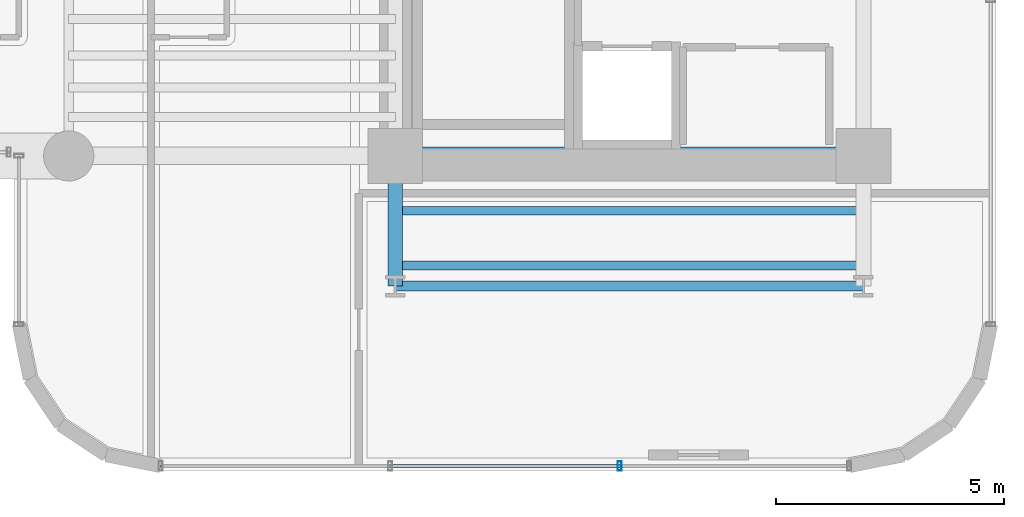
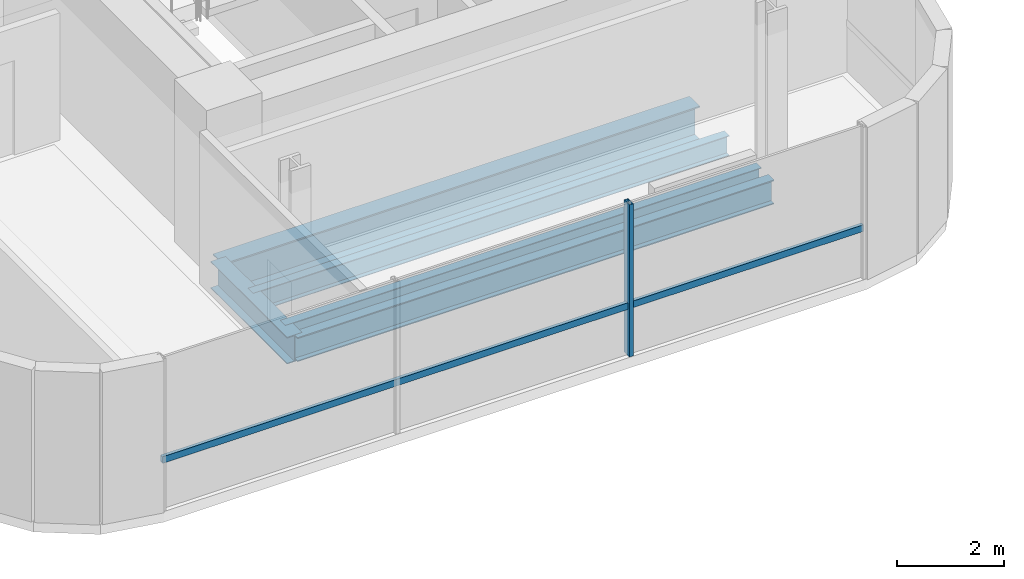
# One storey, part 3 of 37: 5 beams, 2 members, 1 element without a shape of its own.
"""IFC4 building model written with IfcOpenShell, lengths in metres."""

from ifc_helpers import new_model, si_unit, direction, frame, origin, origin_2d, place, context, subcontext, project, spatial, hollow_rectangle, i_section, extrude, source, transform, mapped, material, material_profile, profile_set, type_object, element, aggregate, save


model = new_model("IFC4")

# Units and contexts
model_context = context("Model", 3, precision=1e-05, world=origin(), true_north=direction((0.0, 1.0)))
body_context = subcontext(model_context, "Body", "Model", "MODEL_VIEW")
ifc_project = project(units=[si_unit("LENGTHUNIT", "METRE"), si_unit("AREAUNIT", "SQUARE_METRE"), si_unit("VOLUMEUNIT", "CUBIC_METRE"), si_unit("PLANEANGLEUNIT", "RADIAN"), si_unit("MASSUNIT", "GRAM", prefix="KILO")], contexts=[model_context])

# Site, building, storey
site_placement = place(None, origin())
site = spatial("IfcSite", under=ifc_project, at=site_placement, CompositionType="ELEMENT")
building_placement = place(site_placement, origin())
building = spatial("IfcBuilding", under=site, at=building_placement, Name="Valdorenza Pilgrim Sanctuary Tower", CompositionType="ELEMENT")
storey_placement = place(building_placement, frame((0.0, 0.0, 135.300048828125)))
storey = spatial("IfcBuildingStorey", under=building, at=storey_placement, Name="L34", CompositionType="ELEMENT", Elevation=135.300048828125)

# Beams
ifc_material_1 = material(Name="Steel ASTM A992 Grade 50", Category="steel")
ifc_material_profile_1 = material_profile(ifc_material_1, i_section(OverallWidth=0.214111328125, OverallDepth=0.549072265625, WebThickness=0.0146484375, FlangeThickness=0.023681640625, at=origin_2d()), Name="W21X93")
ifc_profile_set_1 = profile_set([ifc_material_profile_1], Name="Steel ASTM A992 Grade 50")
beam_type_1 = type_object("IfcBeamType", Name="STR-BM-SPN-W21A", PredefinedType="SPANDREL", material=ifc_profile_set_1)
shared_shape_1 = source(origin(), body_context, "Body", "SweptSolid", [
    extrude(i_section(OverallWidth=0.214111328125, OverallDepth=0.549072265625, WebThickness=0.0146484375, FlangeThickness=0.023681640625, at=origin_2d()), origin(), (0.0, 0.0, 1.0), 10.25),
])
beam_1_placement = place(storey_placement, frame((-22.64990234375, -13.449951171875, -0.5146484375), z_axis=(1.0, 0.0, 0.0), x_axis=(0.0, 1.0, 0.0)))
element("IfcBeam", 1, at=beam_1_placement, inside=storey, type_object=beam_type_1, Name="L34 South Spandrel WA-S-TIE", PredefinedType="SPANDREL", context=body_context, shape_type="MappedRepresentation", body=[
    mapped(shared_shape_1, transform((0.0, 0.0, 0.0), x_axis=(1.0, 0.0, 0.0), y_axis=(0.0, 1.0, 0.0), z_axis=(0.0, 0.0, 1.0), scale=1.0)),
])
ifc_material_profile_2 = material_profile(ifc_material_1, i_section(OverallWidth=0.323974609375, OverallDepth=0.611083984375, WebThickness=0.0126953125, FlangeThickness=0.01904296875, at=origin_2d()), Name="W24X104")
ifc_profile_set_2 = profile_set([ifc_material_profile_2], Name="Steel ASTM A992 Grade 50")
beam_type_2 = type_object("IfcBeamType", Name="STR-BM-GRD-W24B", PredefinedType="BEAM", material=ifc_profile_set_2)
shared_shape_2 = source(origin(), body_context, "Body", "SweptSolid", [
    extrude(i_section(OverallWidth=0.323974609375, OverallDepth=0.611083984375, WebThickness=0.0126953125, FlangeThickness=0.01904296875, at=origin_2d()), origin(), (0.0, 0.0, 1.0), 2.849853515625),
])
beam_2_placement = place(storey_placement, frame((-22.64990234375, -13.449951171875, -0.545654296875), z_axis=(0.0, 1.0, 0.0), x_axis=(-1.0, 0.0, 0.0)))
element("IfcBeam", 2, at=beam_2_placement, inside=storey, type_object=beam_type_2, Name="L34 Floor Girder WA-S-LW", PredefinedType="BEAM", context=body_context, shape_type="MappedRepresentation", body=[
    mapped(shared_shape_2, transform((0.0, 0.0, 0.0), x_axis=(1.0, 0.0, 0.0), y_axis=(0.0, 1.0, 0.0), z_axis=(0.0, 0.0, 1.0), scale=1.0)),
])
ifc_material_profile_3 = material_profile(ifc_material_1, i_section(OverallWidth=0.382080078125, OverallDepth=0.779052734375, WebThickness=0.01806640625, FlangeThickness=0.030029296875, at=origin_2d()), Name="W30X191")
ifc_profile_set_3 = profile_set([ifc_material_profile_3], Name="Steel ASTM A992 Grade 50")
beam_type_3 = type_object("IfcBeamType", Name="STR-BM-GRD-W30", PredefinedType="BEAM", material=ifc_profile_set_3)
shared_shape_3 = source(origin(), body_context, "Body", "SweptSolid", [
    extrude(i_section(OverallWidth=0.382080078125, OverallDepth=0.779052734375, WebThickness=0.01806640625, FlangeThickness=0.030029296875, at=origin_2d()), origin(), (0.0, 0.0, 1.0), 10.25),
])
beam_3_placement = place(storey_placement, frame((-22.64990234375, -10.60009765625, -0.629638671875), z_axis=(1.0, 0.0, 0.0), x_axis=(0.0, 1.0, 0.0)))
element("IfcBeam", 3, at=beam_3_placement, inside=storey, type_object=beam_type_3, Name="L34 Floor Girder CA-XC-S1", PredefinedType="BEAM", context=body_context, shape_type="MappedRepresentation", body=[
    mapped(shared_shape_3, transform((0.0, 0.0, 0.0), x_axis=(1.0, 0.0, 0.0), y_axis=(0.0, 1.0, 0.0), z_axis=(0.0, 0.0, 1.0), scale=1.0)),
])
ifc_material_profile_4 = material_profile(ifc_material_1, i_section(OverallWidth=0.19091796875, OverallDepth=0.45703125, WebThickness=0.009033203125, FlangeThickness=0.014404296875, at=origin_2d()), Name="W18X50")
ifc_profile_set_4 = profile_set([ifc_material_profile_4], Name="Steel ASTM A992 Grade 50")
beam_type_4 = type_object("IfcBeamType", Name="STR-BM-JST-W18B", PredefinedType="JOIST", material=ifc_profile_set_4)
shared_shape_4 = source(origin(), body_context, "Body", "SweptSolid", [
    extrude(i_section(OverallWidth=0.19091796875, OverallDepth=0.45703125, WebThickness=0.009033203125, FlangeThickness=0.014404296875, at=origin_2d()), origin(), (0.0, 0.0, 1.0), 10.25),
])
for number, where, z_axis, x_axis, name in (
    (4, (-22.64990234375, -13.0, -0.468505859375), (1.0, 0.0, 0.0), (0.0, 1.0, 0.0), "L34 Composite Floor Joist JST-WAS-1"),
    (5, (-22.64990234375, -11.800048828125, -0.468505859375), (1.0, 0.0, 0.0), (0.0, 1.0, 0.0), "L34 Composite Floor Joist JST-WAS-2"),
):
    element("IfcBeam", number, at=place(storey_placement, frame(where, z_axis=z_axis, x_axis=x_axis)), inside=storey, type_object=beam_type_4, Name=name, PredefinedType="JOIST", context=body_context, shape_type="MappedRepresentation", body=[
        mapped(shared_shape_4, transform((0.0, 0.0, 0.0), x_axis=(1.0, 0.0, 0.0), y_axis=(0.0, 1.0, 0.0), z_axis=(0.0, 0.0, 1.0), scale=1.0)),
    ])

# Curtain wall, members
ifc_material_2 = material(Name="Curtain-wall IGU glazing", Category="glass")
curtain_wall_type = type_object("IfcCurtainWallType", Name="CW-SYS-02", PredefinedType="NOTDEFINED", material=ifc_material_2)
curtain_wall_placement = place(storey_placement, origin())
curtain_wall = element("IfcCurtainWall", 6, at=curtain_wall_placement, inside=storey, type_object=curtain_wall_type, Name="L34 Curtain Wall CW-L34-1-46", PredefinedType="NOTDEFINED")
ifc_material_3 = material(Name="Anodised aluminium AW-6060", Category="aluminium")
ifc_material_profile_5 = material_profile(ifc_material_3, hollow_rectangle(XDim=0.0849609375, YDim=0.199951171875, WallThickness=0.0048828125, at=origin_2d()), Name="ALU-M 200x85x5")
ifc_profile_set_5 = profile_set([ifc_material_profile_5], Name="Anodised aluminium AW-6060")
member_type_1 = type_object("IfcMemberType", Name="CW-MUL-02", PredefinedType="MULLION", material=ifc_profile_set_5)
shared_shape_5 = source(origin(), body_context, "Body", "SweptSolid", [
    extrude(hollow_rectangle(XDim=0.0849609375, YDim=0.199951171875, WallThickness=0.0048828125, at=origin_2d()), origin(), (0.0, 0.0, 1.0), 3.4599609375),
])
member_1_placement = place(storey_placement, frame((-17.73681640625, -17.389892578125, 0.0), z_axis=(0.0, 0.0, 1.0), x_axis=(-1.0, 0.0, 0.0)))
member_1 = element("IfcMember", 7, at=member_1_placement, type_object=member_type_1, Name="CW-L34-1-46 Mullion 2", PredefinedType="MULLION", context=body_context, shape_type="MappedRepresentation", body=[
    mapped(shared_shape_5, transform((0.0, 0.0, 0.0), x_axis=(1.0, 0.0, 0.0), y_axis=(0.0, 1.0, 0.0), z_axis=(0.0, 0.0, 1.0), scale=1.0)),
])
ifc_material_profile_6 = material_profile(ifc_material_3, hollow_rectangle(XDim=0.074951171875, YDim=0.14990234375, WallThickness=0.00390625, at=origin_2d()), Name="ALU-T 150x75x4")
ifc_profile_set_6 = profile_set([ifc_material_profile_6], Name="Anodised aluminium AW-6060")
member_type_2 = type_object("IfcMemberType", Name="CW-TRN-02", PredefinedType="USERDEFINED", material=ifc_profile_set_6)
shared_shape_6 = source(origin(), body_context, "Body", "SweptSolid", [
    extrude(hollow_rectangle(XDim=0.074951171875, YDim=0.14990234375, WallThickness=0.00390625, at=origin_2d()), origin(), (0.0, 0.0, 1.0), 15.07861328125),
])
member_2_placement = place(storey_placement, frame((-12.710693359375, -17.389892578125, 1.119873046875), z_axis=(-1.0, 0.0, 0.0), x_axis=(0.0, -1.0, 0.0)))
member_2 = element("IfcMember", 8, at=member_2_placement, type_object=member_type_2, Name="CW-L34-1-46 Transom 1", ObjectType="TRANSOM", PredefinedType="USERDEFINED", context=body_context, shape_type="MappedRepresentation", body=[
    mapped(shared_shape_6, transform((0.0, 0.0, 0.0), x_axis=(1.0, 0.0, 0.0), y_axis=(0.0, 1.0, 0.0), z_axis=(0.0, 0.0, 1.0), scale=1.0)),
])
aggregate(curtain_wall, [member_1, member_2])

save(model, "model.ifc")
